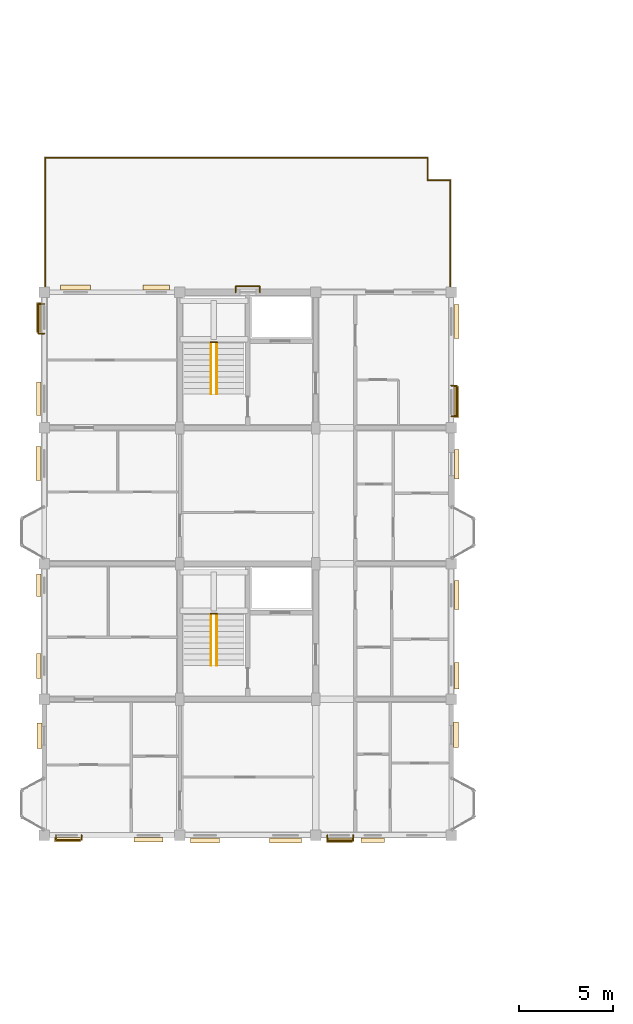
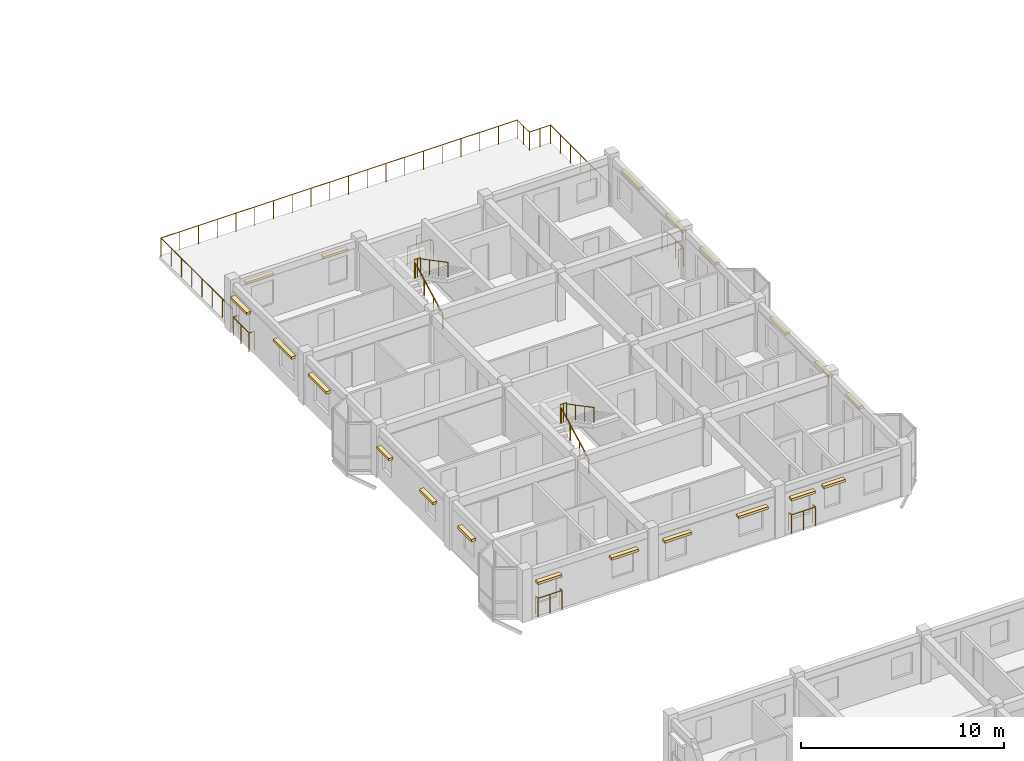
# One storey, part 70 of 75: 20 coverings, 12 railings.
"""IFC4 building model written with IfcOpenShell, lengths in metres."""

from ifc_helpers import new_model, si_unit, direction, frame, origin, origin_2d, place, context, subcontext, project, spatial, rectangle, circle, extrude, material, layer, layer_set, type_object, element, save


model = new_model("IFC4")

# Units and contexts
model_context = context("Model", 3, precision=1e-05, world=origin(), true_north=direction((0.0, 1.0)))
body_context = subcontext(model_context, "Body", "Model", "MODEL_VIEW")
ifc_project = project(units=[si_unit("LENGTHUNIT", "METRE"), si_unit("AREAUNIT", "SQUARE_METRE"), si_unit("VOLUMEUNIT", "CUBIC_METRE"), si_unit("PLANEANGLEUNIT", "RADIAN"), si_unit("MASSUNIT", "GRAM", prefix="KILO"), si_unit("THERMODYNAMICTEMPERATUREUNIT", "KELVIN"), si_unit("POWERUNIT", "WATT")], contexts=[model_context])

# Site, building, storey
site_placement = place(None, origin())
site = spatial("IfcSite", under=ifc_project, at=site_placement, CompositionType="ELEMENT")
building_placement = place(site_placement, origin())
building = spatial("IfcBuilding", under=site, at=building_placement, Name="Tavuni Mirador Residences", CompositionType="ELEMENT")
storey_placement = place(building_placement, frame((0.0, 0.0, 20.25)))
storey = spatial("IfcBuildingStorey", under=building, at=storey_placement, Name="L06", CompositionType="ELEMENT", Elevation=20.25)

# Coverings
ifc_material_1 = material(Name="Natural coral limestone", Category="masonry")
ifc_layer = layer(ifc_material_1, 0.054931640625, Name="Natural coral limestone", Category="masonry")
ifc_layer_set = layer_set([ifc_layer], Name="Natural coral limestone")
covering_type = type_object("IfcCoveringType", Name="CVT-CLAD-CORAL", PredefinedType="CLADDING", material=ifc_layer_set)
covering_1_placement = place(storey_placement, frame((4.844970703125, 64.555419921875, 2.06494140625), z_axis=(0.0, 0.0, 1.0), x_axis=(1.0, 0.0, 0.0)))
element("IfcCovering", 1, at=covering_1_placement, inside=storey, type_object=covering_type, Name="HOOD-0422", PredefinedType="CLADDING", context=body_context, shape_type="SweptSolid", body=[
    extrude(rectangle(XDim=1.3798828125, YDim=0.25, at=origin_2d()), origin(), (0.0, 0.0, 1.0), 0.14990234375),
])
for number, where, z_axis, x_axis, name in (
    (2, (9.125, 64.555419921875, 2.06494140625), (0.0, 0.0, 1.0), (1.0, 0.0, 0.0), "HOOD-0423"),
    (3, (12.125, 64.512939453125, 2.06494140625), (0.0, 0.0, 1.0), (1.0, 0.0, 0.0), "HOOD-0424"),
):
    element("IfcCovering", number, at=place(storey_placement, frame(where, z_axis=z_axis, x_axis=x_axis)), inside=storey, type_object=covering_type, Name=name, PredefinedType="CLADDING", context=body_context, shape_type="SweptSolid", body=[
        extrude(rectangle(XDim=1.5400390625, YDim=0.25, at=origin_2d()), origin(), (0.0, 0.0, 1.0), 0.14990234375),
    ])
covering_2_placement = place(storey_placement, frame((16.405029296875, 64.512939453125, 2.06494140625), z_axis=(0.0, 0.0, 1.0), x_axis=(1.0, 0.0, 0.0)))
element("IfcCovering", 4, at=covering_2_placement, inside=storey, type_object=covering_type, Name="HOOD-0425", PredefinedType="CLADDING", context=body_context, shape_type="SweptSolid", body=[
    extrude(rectangle(XDim=1.699951171875, YDim=0.25, at=origin_2d()), origin(), (0.0, 0.0, 1.0), 0.14990234375),
])
covering_3_placement = place(storey_placement, frame((19.257568359375, 64.5205078125, 2.06494140625), z_axis=(0.0, 0.0, 1.0), x_axis=(1.0, 0.0, 0.0)))
element("IfcCovering", 5, at=covering_3_placement, inside=storey, type_object=covering_type, Name="HOOD-0426", PredefinedType="CLADDING", context=body_context, shape_type="SweptSolid", body=[
    extrude(rectangle(XDim=1.3798828125, YDim=0.25, at=origin_2d()), origin(), (0.0, 0.0, 1.0), 0.14990234375),
])
covering_4_placement = place(storey_placement, frame((21.030029296875, 64.5205078125, 2.1650390625), z_axis=(0.0, 0.0, 1.0), x_axis=(1.0, 0.0, 0.0)))
element("IfcCovering", 6, at=covering_4_placement, inside=storey, type_object=covering_type, Name="HOOD-0427", PredefinedType="CLADDING", context=body_context, shape_type="SweptSolid", body=[
    extrude(rectangle(XDim=1.239990234375, YDim=0.25, at=origin_2d()), origin(), (0.0, 0.0, 1.0), 0.14990234375),
])
covering_5_placement = place(storey_placement, frame((25.449462890625, 70.117431640625, 2.16015625), z_axis=(0.0, 0.0, 1.0), x_axis=(0.0, 1.0, 0.0)))
element("IfcCovering", 7, at=covering_5_placement, inside=storey, type_object=covering_type, Name="HOOD-0428", PredefinedType="CLADDING", context=body_context, shape_type="SweptSolid", body=[
    extrude(rectangle(XDim=1.340087890625, YDim=0.260009765625, at=origin_2d()), origin(), (0.0, 0.0, 1.0), 0.159912109375),
])
covering_6_placement = place(storey_placement, frame((25.487060546875, 73.2548828125, 2.1650390625), z_axis=(0.0, 0.0, 1.0), x_axis=(0.0, 1.0, 0.0)))
element("IfcCovering", 8, at=covering_6_placement, inside=storey, type_object=covering_type, Name="HOOD-0429", PredefinedType="CLADDING", context=body_context, shape_type="SweptSolid", body=[
    extrude(rectangle(XDim=1.39990234375, YDim=0.25, at=origin_2d()), origin(), (0.0, 0.0, 1.0), 0.14990234375),
])
covering_7_placement = place(storey_placement, frame((25.487060546875, 77.534912109375, 2.1650390625), z_axis=(0.0, 0.0, 1.0), x_axis=(0.0, 1.0, 0.0)))
element("IfcCovering", 9, at=covering_7_placement, inside=storey, type_object=covering_type, Name="HOOD-0430", PredefinedType="CLADDING", context=body_context, shape_type="SweptSolid", body=[
    extrude(rectangle(XDim=1.56005859375, YDim=0.25, at=origin_2d()), origin(), (0.0, 0.0, 1.0), 0.14990234375),
])
covering_8_placement = place(storey_placement, frame((25.484619140625, 84.4775390625, 2.16015625), z_axis=(0.0, 0.0, 1.0), x_axis=(0.0, 1.0, 0.0)))
element("IfcCovering", 10, at=covering_8_placement, inside=storey, type_object=covering_type, Name="HOOD-0431", PredefinedType="CLADDING", context=body_context, shape_type="SweptSolid", body=[
    extrude(rectangle(XDim=1.580078125, YDim=0.260009765625, at=origin_2d()), origin(), (0.0, 0.0, 1.0), 0.159912109375),
])
covering_9_placement = place(storey_placement, frame((25.474609375, 87.77490234375, 2.1650390625), z_axis=(0.0, 0.0, 1.0), x_axis=(0.0, 1.0, 0.0)))
element("IfcCovering", 11, at=covering_9_placement, inside=storey, type_object=covering_type, Name="HOOD-0432", PredefinedType="CLADDING", context=body_context, shape_type="SweptSolid", body=[
    extrude(rectangle(XDim=1.639892578125, YDim=0.25, at=origin_2d()), origin(), (0.0, 0.0, 1.0), 0.14990234375),
])
covering_10_placement = place(storey_placement, frame((25.474609375, 92.054931640625, 2.1650390625), z_axis=(0.0, 0.0, 1.0), x_axis=(0.0, 1.0, 0.0)))
element("IfcCovering", 12, at=covering_10_placement, inside=storey, type_object=covering_type, Name="HOOD-0433", PredefinedType="CLADDING", context=body_context, shape_type="SweptSolid", body=[
    extrude(rectangle(XDim=1.800048828125, YDim=0.25, at=origin_2d()), origin(), (0.0, 0.0, 1.0), 0.14990234375),
])
covering_11_placement = place(storey_placement, frame((9.550048828125, 93.844482421875, 2.2451171875), z_axis=(0.0, 0.0, 1.0), x_axis=(-1.0, 0.0, 0.0)))
element("IfcCovering", 13, at=covering_11_placement, inside=storey, type_object=covering_type, Name="HOOD-0434", PredefinedType="CLADDING", context=body_context, shape_type="SweptSolid", body=[
    extrude(rectangle(XDim=1.389892578125, YDim=0.25, at=origin_2d()), origin(), (0.0, 0.0, 1.0), 0.14990234375),
])
for number, where, z_axis, x_axis, name in (
    (14, (5.25, 93.844482421875, 2.2451171875), (0.0, 0.0, 1.0), (-1.0, 0.0, 0.0), "HOOD-0435"),
    (15, (3.305419921875, 92.25, 2.2451171875), (0.0, 0.0, 1.0), (0.0, -1.0, 0.0), "HOOD-0436"),
):
    element("IfcCovering", number, at=place(storey_placement, frame(where, z_axis=z_axis, x_axis=x_axis)), inside=storey, type_object=covering_type, Name=name, PredefinedType="CLADDING", context=body_context, shape_type="SweptSolid", body=[
        extrude(rectangle(XDim=1.590087890625, YDim=0.25, at=origin_2d()), origin(), (0.0, 0.0, 1.0), 0.14990234375),
    ])
covering_12_placement = place(storey_placement, frame((3.305419921875, 87.949951171875, 2.2451171875), z_axis=(0.0, 0.0, 1.0), x_axis=(0.0, -1.0, 0.0)))
element("IfcCovering", 16, at=covering_12_placement, inside=storey, type_object=covering_type, Name="HOOD-0437", PredefinedType="CLADDING", context=body_context, shape_type="SweptSolid", body=[
    extrude(rectangle(XDim=1.7900390625, YDim=0.25, at=origin_2d()), origin(), (0.0, 0.0, 1.0), 0.14990234375),
])
covering_13_placement = place(storey_placement, frame((3.300537109375, 84.507568359375, 2.240234375), z_axis=(0.0, 0.0, 1.0), x_axis=(0.0, -1.0, 0.0)))
element("IfcCovering", 17, at=covering_13_placement, inside=storey, type_object=covering_type, Name="HOOD-0438", PredefinedType="CLADDING", context=body_context, shape_type="SweptSolid", body=[
    extrude(rectangle(XDim=1.81005859375, YDim=0.260009765625, at=origin_2d()), origin(), (0.0, 0.0, 1.0), 0.159912109375),
])
covering_14_placement = place(storey_placement, frame((3.305419921875, 78.050048828125, 1.955078125), z_axis=(0.0, 0.0, 1.0), x_axis=(0.0, -1.0, 0.0)))
element("IfcCovering", 18, at=covering_14_placement, inside=storey, type_object=covering_type, Name="HOOD-0439", PredefinedType="CLADDING", context=body_context, shape_type="SweptSolid", body=[
    extrude(rectangle(XDim=1.18994140625, YDim=0.25, at=origin_2d()), origin(), (0.0, 0.0, 1.0), 0.14990234375),
])
covering_15_placement = place(storey_placement, frame((3.305419921875, 73.77490234375, 1.955078125), z_axis=(0.0, 0.0, 1.0), x_axis=(0.0, -1.0, 0.0)))
element("IfcCovering", 19, at=covering_15_placement, inside=storey, type_object=covering_type, Name="HOOD-0440", PredefinedType="CLADDING", context=body_context, shape_type="SweptSolid", body=[
    extrude(rectangle(XDim=1.340087890625, YDim=0.25, at=origin_2d()), origin(), (0.0, 0.0, 1.0), 0.14990234375),
])
covering_16_placement = place(storey_placement, frame((3.3505859375, 70.0673828125, 1.9501953125), z_axis=(0.0, 0.0, 1.0), x_axis=(0.0, -1.0, 0.0)))
element("IfcCovering", 20, at=covering_16_placement, inside=storey, type_object=covering_type, Name="HOOD-0441", PredefinedType="CLADDING", context=body_context, shape_type="SweptSolid", body=[
    extrude(rectangle(XDim=1.360107421875, YDim=0.260009765625, at=origin_2d()), origin(), (0.0, 0.0, 1.0), 0.159912109375),
])

# Railings
ifc_material_2 = material(Name="Structural steel S355", Category="steel")
railing_type_1 = type_object("IfcRailingType", Name="RT-BL1150", PredefinedType="BALUSTRADE", material=ifc_material_2)
railing_1_placement = place(storey_placement, frame((4.22509765625, 64.800048828125, 0.0400390625)))
element("IfcRailing", 21, at=railing_1_placement, inside=storey, type_object=railing_type_1, Name="BALC-BLK-B-L06-S00", PredefinedType="BALUSTRADE", context=body_context, shape_type="SweptSolid", body=[
    extrude(circle(Radius=0.02392578125, at=origin_2d()), frame((0.0, 0.0, 1.1259765625), z_axis=(0.0, -1.0, 0.0), x_axis=(1.0, 0.0, 0.0)), (0.0, 0.0, 1.0), 0.262451171875),
    extrude(circle(Radius=0.02392578125, at=origin_2d()), frame((0.0, -0.262451171875, 1.1259765625), z_axis=(1.0, 0.0, 0.0), x_axis=(0.0, 1.0, 0.0)), (0.0, 0.0, 1.0), 1.35986328125),
    extrude(circle(Radius=0.02392578125, at=origin_2d()), frame((1.35986328125, -0.262451171875, 1.1259765625), z_axis=(0.0, 1.0, 0.0), x_axis=(-1.0, 0.0, 0.0)), (0.0, 0.0, 1.0), 0.262451171875),
    extrude(circle(Radius=0.02099609375, at=origin_2d()), origin(), (0.0, 0.0, 1.0), 1.101806640625),
    extrude(circle(Radius=0.02099609375, at=origin_2d()), frame((0.0, -0.262451171875, 0.0)), (0.0, 0.0, 1.0), 1.101806640625),
    extrude(circle(Radius=0.02099609375, at=origin_2d()), frame((0.679931640625, -0.262451171875, 0.0)), (0.0, 0.0, 1.0), 1.101806640625),
    extrude(circle(Radius=0.02099609375, at=origin_2d()), frame((1.35986328125, -0.262451171875, 0.0)), (0.0, 0.0, 1.0), 1.101806640625),
    extrude(circle(Radius=0.02099609375, at=origin_2d()), frame((1.35986328125, 0.0, 0.0)), (0.0, 0.0, 1.0), 1.101806640625),
])
railing_2_placement = place(storey_placement, frame((18.625, 64.800048828125, 0.0400390625)))
element("IfcRailing", 22, at=railing_2_placement, inside=storey, type_object=railing_type_1, Name="BALC-BLK-B-L06-S02", PredefinedType="BALUSTRADE", context=body_context, shape_type="SweptSolid", body=[
    extrude(circle(Radius=0.02392578125, at=origin_2d()), frame((0.0, 0.0, 1.1259765625), z_axis=(0.0, -1.0, 0.0), x_axis=(1.0, 0.0, 0.0)), (0.0, 0.0, 1.0), 0.297607421875),
    extrude(circle(Radius=0.02392578125, at=origin_2d()), frame((0.0, -0.297607421875, 1.1259765625), z_axis=(1.0, 0.0, 0.0), x_axis=(0.0, 1.0, 0.0)), (0.0, 0.0, 1.0), 1.37255859375),
    extrude(circle(Radius=0.02392578125, at=origin_2d()), frame((1.37255859375, -0.297607421875, 1.1259765625), z_axis=(0.0, 1.0, 0.0), x_axis=(-1.0, 0.0, 0.0)), (0.0, 0.0, 1.0), 0.297607421875),
    extrude(circle(Radius=0.02099609375, at=origin_2d()), origin(), (0.0, 0.0, 1.0), 1.101806640625),
    extrude(circle(Radius=0.02099609375, at=origin_2d()), frame((0.0, -0.297607421875, 0.0)), (0.0, 0.0, 1.0), 1.101806640625),
    extrude(circle(Radius=0.02099609375, at=origin_2d()), frame((0.686279296875, -0.297607421875, 0.0)), (0.0, 0.0, 1.0), 1.101806640625),
    extrude(circle(Radius=0.02099609375, at=origin_2d()), frame((1.37255859375, -0.297607421875, 0.0)), (0.0, 0.0, 1.0), 1.101806640625),
    extrude(circle(Radius=0.02099609375, at=origin_2d()), frame((1.37255859375, 0.0, 0.0)), (0.0, 0.0, 1.0), 1.101806640625),
])
railing_3_placement = place(storey_placement, frame((25.199951171875, 87.02490234375, 0.0400390625)))
element("IfcRailing", 23, at=railing_3_placement, inside=storey, type_object=railing_type_1, Name="BALC-BLK-B-L06-E03", PredefinedType="BALUSTRADE", context=body_context, shape_type="SweptSolid", body=[
    extrude(circle(Radius=0.02392578125, at=origin_2d()), frame((0.0, 0.0, 1.1259765625), z_axis=(1.0, 0.0, 0.0), x_axis=(0.0, 1.0, 0.0)), (0.0, 0.0, 1.0), 0.29248046875),
    extrude(circle(Radius=0.02392578125, at=origin_2d()), frame((0.29248046875, 0.0, 1.1259765625), z_axis=(0.0, 1.0, 0.0), x_axis=(-1.0, 0.0, 0.0)), (0.0, 0.0, 1.0), 1.6201171875),
    extrude(circle(Radius=0.02392578125, at=origin_2d()), frame((0.29248046875, 1.6201171875, 1.1259765625), z_axis=(-1.0, 0.0, 0.0), x_axis=(0.0, -1.0, 0.0)), (0.0, 0.0, 1.0), 0.29248046875),
    extrude(circle(Radius=0.02099609375, at=origin_2d()), origin(), (0.0, 0.0, 1.0), 1.101806640625),
    extrude(circle(Radius=0.02099609375, at=origin_2d()), frame((0.29248046875, 0.0, 0.0)), (0.0, 0.0, 1.0), 1.101806640625),
    extrude(circle(Radius=0.02099609375, at=origin_2d()), frame((0.29248046875, 0.81005859375, 0.0)), (0.0, 0.0, 1.0), 1.101806640625),
    extrude(circle(Radius=0.02099609375, at=origin_2d()), frame((0.29248046875, 1.6201171875, 0.0)), (0.0, 0.0, 1.0), 1.101806640625),
    extrude(circle(Radius=0.02099609375, at=origin_2d()), frame((0.0, 1.6201171875, 0.0)), (0.0, 0.0, 1.0), 1.101806640625),
])
railing_4_placement = place(storey_placement, frame((15.044921875, 93.60009765625, 0.0400390625)))
element("IfcRailing", 24, at=railing_4_placement, inside=storey, type_object=railing_type_1, Name="BALC-BLK-B-L06-N01", PredefinedType="BALUSTRADE", context=body_context, shape_type="SweptSolid", body=[
    extrude(circle(Radius=0.02392578125, at=origin_2d()), frame((0.0, 0.0, 1.1259765625), z_axis=(0.0, 1.0, 0.0), x_axis=(-1.0, 0.0, 0.0)), (0.0, 0.0, 1.0), 0.304931640625),
    extrude(circle(Radius=0.02392578125, at=origin_2d()), frame((0.0, 0.304931640625, 1.1259765625), z_axis=(-1.0, 0.0, 0.0), x_axis=(0.0, -1.0, 0.0)), (0.0, 0.0, 1.0), 1.2900390625),
    extrude(circle(Radius=0.02392578125, at=origin_2d()), frame((-1.2900390625, 0.304931640625, 1.1259765625), z_axis=(0.0, -1.0, 0.0), x_axis=(1.0, 0.0, 0.0)), (0.0, 0.0, 1.0), 0.304931640625),
    extrude(circle(Radius=0.02099609375, at=origin_2d()), origin(), (0.0, 0.0, 1.0), 1.101806640625),
    extrude(circle(Radius=0.02099609375, at=origin_2d()), frame((0.0, 0.304931640625, 0.0)), (0.0, 0.0, 1.0), 1.101806640625),
    extrude(circle(Radius=0.02099609375, at=origin_2d()), frame((-0.64501953125, 0.304931640625, 0.0)), (0.0, 0.0, 1.0), 1.101806640625),
    extrude(circle(Radius=0.02099609375, at=origin_2d()), frame((-1.2900390625, 0.304931640625, 0.0)), (0.0, 0.0, 1.0), 1.101806640625),
    extrude(circle(Radius=0.02099609375, at=origin_2d()), frame((-1.2900390625, 0.0, 0.0)), (0.0, 0.0, 1.0), 1.101806640625),
])
railing_5_placement = place(storey_placement, frame((3.60009765625, 92.97509765625, 0.0400390625)))
element("IfcRailing", 25, at=railing_5_placement, inside=storey, type_object=railing_type_1, Name="BALC-BLK-B-L06-W03", PredefinedType="BALUSTRADE", context=body_context, shape_type="SweptSolid", body=[
    extrude(circle(Radius=0.02392578125, at=origin_2d()), frame((0.0, 0.0, 1.1259765625), z_axis=(-1.0, 0.0, 0.0), x_axis=(0.0, -1.0, 0.0)), (0.0, 0.0, 1.0), 0.3125),
    extrude(circle(Radius=0.02392578125, at=origin_2d()), frame((-0.3125, 0.0, 1.1259765625), z_axis=(0.0, -1.0, 0.0), x_axis=(1.0, 0.0, 0.0)), (0.0, 0.0, 1.0), 1.570068359375),
    extrude(circle(Radius=0.02392578125, at=origin_2d()), frame((-0.3125, -1.570068359375, 1.1259765625), z_axis=(1.0, 0.0, 0.0), x_axis=(0.0, 1.0, 0.0)), (0.0, 0.0, 1.0), 0.3125),
    extrude(circle(Radius=0.02099609375, at=origin_2d()), origin(), (0.0, 0.0, 1.0), 1.101806640625),
    extrude(circle(Radius=0.02099609375, at=origin_2d()), frame((-0.3125, 0.0, 0.0)), (0.0, 0.0, 1.0), 1.101806640625),
    extrude(circle(Radius=0.02099609375, at=origin_2d()), frame((-0.3125, -0.78515625, 0.0)), (0.0, 0.0, 1.0), 1.101806640625),
    extrude(circle(Radius=0.02099609375, at=origin_2d()), frame((-0.3125, -1.570068359375, 0.0)), (0.0, 0.0, 1.0), 1.101806640625),
    extrude(circle(Radius=0.02099609375, at=origin_2d()), frame((0.0, -1.570068359375, 0.0)), (0.0, 0.0, 1.0), 1.101806640625),
])
railing_type_2 = type_object("IfcRailingType", Name="RT-GR1120", PredefinedType="GUARDRAIL", material=ifc_material_2)
railing_6_placement = place(storey_placement, frame((25.139892578125, 93.659912109375, 0.0)))
element("IfcRailing", 26, at=railing_6_placement, inside=storey, type_object=railing_type_2, Name="Terrace guard TER-B-L06", PredefinedType="GUARDRAIL", context=body_context, shape_type="SweptSolid", body=[
    extrude(circle(Radius=0.02392578125, at=origin_2d()), frame((0.0, 0.0, 1.09619140625), z_axis=(0.0, 1.0, 0.0), x_axis=(-1.0, 0.0, 0.0)), (0.0, 0.0, 1.0), 5.880126953125),
    extrude(circle(Radius=0.02392578125, at=origin_2d()), frame((0.0, 5.880126953125, 1.09619140625), z_axis=(-1.0, 0.0, 0.0), x_axis=(0.0, -1.0, 0.0)), (0.0, 0.0, 1.0), 1.199951171875),
    extrude(circle(Radius=0.02392578125, at=origin_2d()), frame((-1.199951171875, 5.880126953125, 1.09619140625), z_axis=(0.0, 1.0, 0.0), x_axis=(-1.0, 0.0, 0.0)), (0.0, 0.0, 1.0), 1.199951171875),
    extrude(circle(Radius=0.02392578125, at=origin_2d()), frame((-1.199951171875, 7.080078125, 1.09619140625), z_axis=(-1.0, 0.0, 0.0), x_axis=(0.0, -1.0, 0.0)), (0.0, 0.0, 1.0), 20.280029296875),
    extrude(circle(Radius=0.02392578125, at=origin_2d()), frame((-21.47998046875, 7.080078125, 1.09619140625), z_axis=(0.0, -1.0, 0.0), x_axis=(1.0, 0.0, 0.0)), (0.0, 0.0, 1.0), 7.080078125),
    extrude(circle(Radius=0.02099609375, at=origin_2d()), origin(), (0.0, 0.0, 1.0), 1.072021484375),
    extrude(circle(Radius=0.02099609375, at=origin_2d()), frame((0.0, 0.97998046875, 0.0)), (0.0, 0.0, 1.0), 1.072021484375),
    extrude(circle(Radius=0.02099609375, at=origin_2d()), frame((0.0, 1.9599609375, 0.0)), (0.0, 0.0, 1.0), 1.072021484375),
    extrude(circle(Radius=0.02099609375, at=origin_2d()), frame((0.0, 2.93994140625, 0.0)), (0.0, 0.0, 1.0), 1.072021484375),
    extrude(circle(Radius=0.02099609375, at=origin_2d()), frame((0.0, 3.920166015625, 0.0)), (0.0, 0.0, 1.0), 1.072021484375),
    extrude(circle(Radius=0.02099609375, at=origin_2d()), frame((0.0, 4.900146484375, 0.0)), (0.0, 0.0, 1.0), 1.072021484375),
    extrude(circle(Radius=0.02099609375, at=origin_2d()), frame((0.0, 5.880126953125, 0.0)), (0.0, 0.0, 1.0), 1.072021484375),
    extrude(circle(Radius=0.02099609375, at=origin_2d()), frame((-0.60009765625, 5.880126953125, 0.0)), (0.0, 0.0, 1.0), 1.072021484375),
    extrude(circle(Radius=0.02099609375, at=origin_2d()), frame((-1.199951171875, 5.880126953125, 0.0)), (0.0, 0.0, 1.0), 1.072021484375),
    extrude(circle(Radius=0.02099609375, at=origin_2d()), frame((-1.199951171875, 6.47998046875, 0.0)), (0.0, 0.0, 1.0), 1.072021484375),
    extrude(circle(Radius=0.02099609375, at=origin_2d()), frame((-1.199951171875, 7.080078125, 0.0)), (0.0, 0.0, 1.0), 1.072021484375),
    extrude(circle(Radius=0.02099609375, at=origin_2d()), frame((-2.267333984375, 7.080078125, 0.0)), (0.0, 0.0, 1.0), 1.072021484375),
    extrude(circle(Radius=0.02099609375, at=origin_2d()), frame((-3.334716796875, 7.080078125, 0.0)), (0.0, 0.0, 1.0), 1.072021484375),
    extrude(circle(Radius=0.02099609375, at=origin_2d()), frame((-4.402099609375, 7.080078125, 0.0)), (0.0, 0.0, 1.0), 1.072021484375),
    extrude(circle(Radius=0.02099609375, at=origin_2d()), frame((-5.469482421875, 7.080078125, 0.0)), (0.0, 0.0, 1.0), 1.072021484375),
    extrude(circle(Radius=0.02099609375, at=origin_2d()), frame((-6.536865234375, 7.080078125, 0.0)), (0.0, 0.0, 1.0), 1.072021484375),
    extrude(circle(Radius=0.02099609375, at=origin_2d()), frame((-7.604248046875, 7.080078125, 0.0)), (0.0, 0.0, 1.0), 1.072021484375),
    extrude(circle(Radius=0.02099609375, at=origin_2d()), frame((-8.671630859375, 7.080078125, 0.0)), (0.0, 0.0, 1.0), 1.072021484375),
    extrude(circle(Radius=0.02099609375, at=origin_2d()), frame((-9.739013671875, 7.080078125, 0.0)), (0.0, 0.0, 1.0), 1.072021484375),
    extrude(circle(Radius=0.02099609375, at=origin_2d()), frame((-10.806396484375, 7.080078125, 0.0)), (0.0, 0.0, 1.0), 1.072021484375),
    extrude(circle(Radius=0.02099609375, at=origin_2d()), frame((-11.87353515625, 7.080078125, 0.0)), (0.0, 0.0, 1.0), 1.072021484375),
    extrude(circle(Radius=0.02099609375, at=origin_2d()), frame((-12.94091796875, 7.080078125, 0.0)), (0.0, 0.0, 1.0), 1.072021484375),
    extrude(circle(Radius=0.02099609375, at=origin_2d()), frame((-14.00830078125, 7.080078125, 0.0)), (0.0, 0.0, 1.0), 1.072021484375),
    extrude(circle(Radius=0.02099609375, at=origin_2d()), frame((-15.07568359375, 7.080078125, 0.0)), (0.0, 0.0, 1.0), 1.072021484375),
    extrude(circle(Radius=0.02099609375, at=origin_2d()), frame((-16.14306640625, 7.080078125, 0.0)), (0.0, 0.0, 1.0), 1.072021484375),
    extrude(circle(Radius=0.02099609375, at=origin_2d()), frame((-17.21044921875, 7.080078125, 0.0)), (0.0, 0.0, 1.0), 1.072021484375),
    extrude(circle(Radius=0.02099609375, at=origin_2d()), frame((-18.27783203125, 7.080078125, 0.0)), (0.0, 0.0, 1.0), 1.072021484375),
    extrude(circle(Radius=0.02099609375, at=origin_2d()), frame((-19.34521484375, 7.080078125, 0.0)), (0.0, 0.0, 1.0), 1.072021484375),
    extrude(circle(Radius=0.02099609375, at=origin_2d()), frame((-20.41259765625, 7.080078125, 0.0)), (0.0, 0.0, 1.0), 1.072021484375),
    extrude(circle(Radius=0.02099609375, at=origin_2d()), frame((-21.47998046875, 7.080078125, 0.0)), (0.0, 0.0, 1.0), 1.072021484375),
    extrude(circle(Radius=0.02099609375, at=origin_2d()), frame((-21.47998046875, 6.068603515625, 0.0)), (0.0, 0.0, 1.0), 1.072021484375),
    extrude(circle(Radius=0.02099609375, at=origin_2d()), frame((-21.47998046875, 5.05712890625, 0.0)), (0.0, 0.0, 1.0), 1.072021484375),
    extrude(circle(Radius=0.02099609375, at=origin_2d()), frame((-21.47998046875, 4.045654296875, 0.0)), (0.0, 0.0, 1.0), 1.072021484375),
    extrude(circle(Radius=0.02099609375, at=origin_2d()), frame((-21.47998046875, 3.034423828125, 0.0)), (0.0, 0.0, 1.0), 1.072021484375),
    extrude(circle(Radius=0.02099609375, at=origin_2d()), frame((-21.47998046875, 2.02294921875, 0.0)), (0.0, 0.0, 1.0), 1.072021484375),
    extrude(circle(Radius=0.02099609375, at=origin_2d()), frame((-21.47998046875, 1.011474609375, 0.0)), (0.0, 0.0, 1.0), 1.072021484375),
    extrude(circle(Radius=0.02099609375, at=origin_2d()), frame((-21.47998046875, 0.0, 0.0)), (0.0, 0.0, 1.0), 1.072021484375),
])
for number, where, name in (
    (27, (12.419921875, 76.5400390625, 1.574951171875), "GRD-HL-ST3-L06"),
    (28, (12.419921875, 90.93994140625, 1.574951171875), "GRD-HL-ST4-L06"),
):
    element("IfcRailing", number, at=place(storey_placement, frame(where)), inside=storey, type_object=railing_type_2, Name=name, PredefinedType="GUARDRAIL", context=body_context, shape_type="SweptSolid", body=[
        extrude(circle(Radius=0.02392578125, at=origin_2d()), frame((0.0, 0.0, 1.09619140625), z_axis=(1.0, 0.0, 0.0), x_axis=(0.0, 1.0, 0.0)), (0.0, 0.0, 1.0), 0.360107421875),
        extrude(circle(Radius=0.02099609375, at=origin_2d()), origin(), (0.0, 0.0, 1.0), 1.072021484375),
        extrude(circle(Radius=0.02099609375, at=origin_2d()), frame((0.18017578125, 0.0, 0.0)), (0.0, 0.0, 1.0), 1.072021484375),
        extrude(circle(Radius=0.02099609375, at=origin_2d()), frame((0.360107421875, 0.0, 0.0)), (0.0, 0.0, 1.0), 1.072021484375),
    ])
railing_type_3 = type_object("IfcRailingType", Name="RT-HR920", PredefinedType="HANDRAIL", material=ifc_material_2)
railing_7_placement = place(storey_placement, frame((12.449951171875, 73.800048828125, 0.157470703125)))
element("IfcRailing", 29, at=railing_7_placement, inside=storey, type_object=railing_type_3, Name="HR-ST3-L06-F1", PredefinedType="HANDRAIL", context=body_context, shape_type="SweptSolid", body=[
    extrude(circle(Radius=0.02392578125, at=origin_2d()), frame((0.0, 0.0, 0.89599609375), z_axis=(0.0, 0.885397079081, 0.464835468048), x_axis=(-1.0, 0.0, 0.0)), (0.0, 0.0, 1.0), 3.04931640625),
    extrude(circle(Radius=0.02099609375, at=origin_2d()), origin(), (0.0, 0.0, 1.0), 0.871826171875),
    extrude(circle(Radius=0.02099609375, at=origin_2d()), frame((0.0, 0.89990234375, 0.472412109375)), (0.0, 0.0, 1.0), 0.871826171875),
    extrude(circle(Radius=0.02099609375, at=origin_2d()), frame((0.0, 1.800048828125, 0.945068359375)), (0.0, 0.0, 1.0), 0.871826171875),
    extrude(circle(Radius=0.02099609375, at=origin_2d()), frame((0.0, 2.699951171875, 1.41748046875)), (0.0, 0.0, 1.0), 0.871826171875),
])
railing_8_placement = place(storey_placement, frame((12.75, 76.5, 1.732421875)))
element("IfcRailing", 30, at=railing_8_placement, inside=storey, type_object=railing_type_3, Name="HR-ST3-L06-F2", PredefinedType="HANDRAIL", context=body_context, shape_type="SweptSolid", body=[
    extrude(circle(Radius=0.02392578125, at=origin_2d()), frame((0.0, 0.0, 0.89599609375), z_axis=(0.0, -0.885397079081, 0.464835468048), x_axis=(1.0, 0.0, 0.0)), (0.0, 0.0, 1.0), 3.04931640625),
    extrude(circle(Radius=0.02099609375, at=origin_2d()), origin(), (0.0, 0.0, 1.0), 0.871826171875),
    extrude(circle(Radius=0.02099609375, at=origin_2d()), frame((0.0, -0.89990234375, 0.472412109375)), (0.0, 0.0, 1.0), 0.871826171875),
    extrude(circle(Radius=0.02099609375, at=origin_2d()), frame((0.0, -1.800048828125, 0.945068359375)), (0.0, 0.0, 1.0), 0.871826171875),
    extrude(circle(Radius=0.02099609375, at=origin_2d()), frame((0.0, -2.699951171875, 1.41748046875)), (0.0, 0.0, 1.0), 0.871826171875),
])
railing_9_placement = place(storey_placement, frame((12.449951171875, 88.199951171875, 0.157470703125)))
element("IfcRailing", 31, at=railing_9_placement, inside=storey, type_object=railing_type_3, Name="HR-ST4-L06-F1", PredefinedType="HANDRAIL", context=body_context, shape_type="SweptSolid", body=[
    extrude(circle(Radius=0.02392578125, at=origin_2d()), frame((0.0, 0.0, 0.89599609375), z_axis=(0.0, 0.885397079081, 0.464835468048), x_axis=(-1.0, 0.0, 0.0)), (0.0, 0.0, 1.0), 3.04931640625),
    extrude(circle(Radius=0.02099609375, at=origin_2d()), origin(), (0.0, 0.0, 1.0), 0.871826171875),
    extrude(circle(Radius=0.02099609375, at=origin_2d()), frame((0.0, 0.89990234375, 0.472412109375)), (0.0, 0.0, 1.0), 0.871826171875),
    extrude(circle(Radius=0.02099609375, at=origin_2d()), frame((0.0, 1.800048828125, 0.945068359375)), (0.0, 0.0, 1.0), 0.871826171875),
    extrude(circle(Radius=0.02099609375, at=origin_2d()), frame((0.0, 2.699951171875, 1.41748046875)), (0.0, 0.0, 1.0), 0.871826171875),
])
railing_10_placement = place(storey_placement, frame((12.75, 90.89990234375, 1.732421875)))
element("IfcRailing", 32, at=railing_10_placement, inside=storey, type_object=railing_type_3, Name="HR-ST4-L06-F2", PredefinedType="HANDRAIL", context=body_context, shape_type="SweptSolid", body=[
    extrude(circle(Radius=0.02392578125, at=origin_2d()), frame((0.0, 0.0, 0.89599609375), z_axis=(0.0, -0.885397079081, 0.464835468048), x_axis=(1.0, 0.0, 0.0)), (0.0, 0.0, 1.0), 3.04931640625),
    extrude(circle(Radius=0.02099609375, at=origin_2d()), origin(), (0.0, 0.0, 1.0), 0.871826171875),
    extrude(circle(Radius=0.02099609375, at=origin_2d()), frame((0.0, -0.89990234375, 0.472412109375)), (0.0, 0.0, 1.0), 0.871826171875),
    extrude(circle(Radius=0.02099609375, at=origin_2d()), frame((0.0, -1.800048828125, 0.945068359375)), (0.0, 0.0, 1.0), 0.871826171875),
    extrude(circle(Radius=0.02099609375, at=origin_2d()), frame((0.0, -2.699951171875, 1.41748046875)), (0.0, 0.0, 1.0), 0.871826171875),
])

save(model, "model.ifc")
